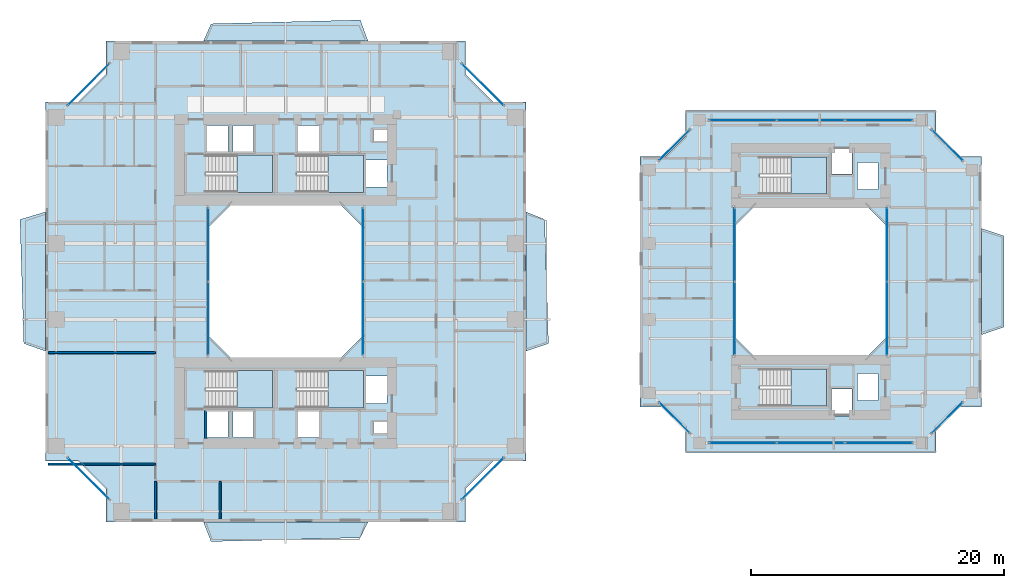
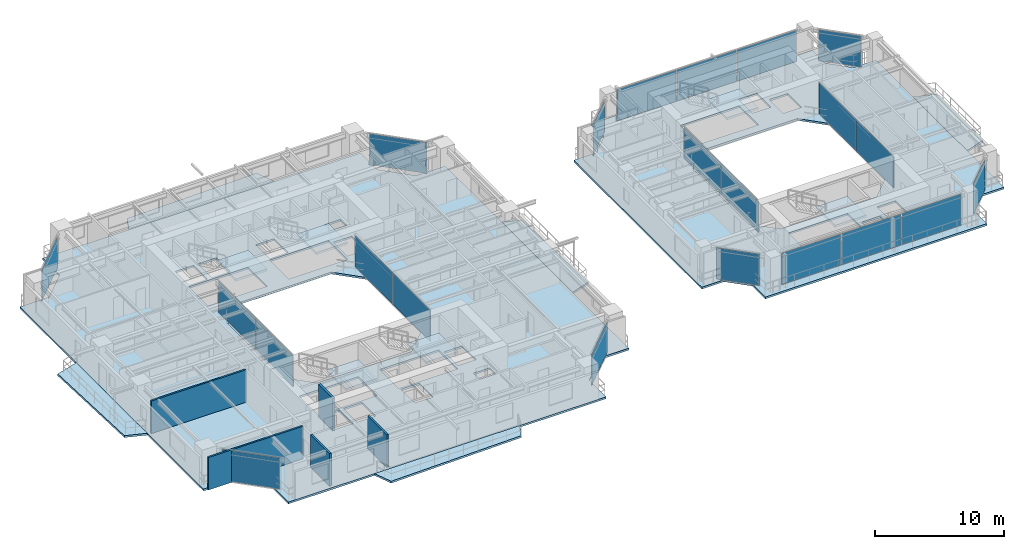
# One storey, part 11 of 23: 22 plates, 13 slabs, 5 walls, 20 elements without a shape of their own.
"""IFC4 building model written with IfcOpenShell, lengths in metres."""

from ifc_helpers import new_model, si_unit, direction, frame, frame_2d, origin, origin_2d, place, context, subcontext, project, spatial, polyline, rectangle, outline, extrude, source, transform, mapped, material, layer, layer_set, type_object, element, aggregate, save


model = new_model("IFC4")

# Units and contexts
model_context = context("Model", 3, precision=1e-05, world=origin(), true_north=direction((0.0, 1.0)))
body_context = subcontext(model_context, "Body", "Model", "MODEL_VIEW")
ifc_project = project(units=[si_unit("LENGTHUNIT", "METRE"), si_unit("AREAUNIT", "SQUARE_METRE"), si_unit("VOLUMEUNIT", "CUBIC_METRE"), si_unit("PLANEANGLEUNIT", "RADIAN"), si_unit("MASSUNIT", "GRAM", prefix="KILO"), si_unit("THERMODYNAMICTEMPERATUREUNIT", "KELVIN"), si_unit("POWERUNIT", "WATT")], contexts=[model_context])

# Site, building, storey
site_placement = place(None, origin())
site = spatial("IfcSite", under=ifc_project, at=site_placement, CompositionType="ELEMENT")
building_placement = place(site_placement, origin())
building = spatial("IfcBuilding", under=site, at=building_placement, Name="Qiaomeng Ring Towers", CompositionType="ELEMENT")
storey_placement = place(building_placement, frame((0.0, 0.0, 39.25)))
storey = spatial("IfcBuildingStorey", under=building, at=storey_placement, Name="L10", CompositionType="ELEMENT", Elevation=39.25)

# Slabs
ifc_material_1 = material(Name="Concrete C40", Category="concrete")
ifc_layer_1 = layer(ifc_material_1, 0.179931640625, Name="Concrete C40")
ifc_layer_set_1 = layer_set([ifc_layer_1], Name="Concrete C40")
slab_type_1 = type_object("IfcSlabType", Name="STR-SL-180", PredefinedType="FLOOR", material=ifc_layer_set_1)
slab_1_placement = place(storey_placement, frame((0.0, 0.0, -0.179931640625)))
element("IfcSlab", 1, at=slab_1_placement, inside=storey, type_object=slab_type_1, Name="L10 Tower 1 Annular Floor Slab", PredefinedType="FLOOR", context=body_context, shape_type="SweptSolid", body=[
    extrude(outline(polyline([(4.800048828125, 4.0), (33.199951171875, 4.0), (33.199951171875, 6.60009765625), (35.39990234375, 8.800048828125), (38.0, 8.800048828125), (38.0, 37.199951171875), (35.39990234375, 37.199951171875), (33.199951171875, 39.39990234375), (33.199951171875, 42.0), (4.800048828125, 42.0), (4.800048828125, 39.39990234375), (2.60009765625, 37.199951171875), (0.0, 37.199951171875), (0.0, 8.800048828125), (2.60009765625, 8.800048828125), (4.800048828125, 6.60009765625), (4.800048828125, 4.0)]), holes=[polyline([(12.780029296875, 10.679931640625), (12.780029296875, 12.820068359375), (14.419921875, 12.820068359375), (14.419921875, 10.679931640625), (12.780029296875, 10.679931640625)]), polyline([(14.830078125, 12.820068359375), (16.469970703125, 12.820068359375), (16.469970703125, 10.679931640625), (14.830078125, 10.679931640625), (14.830078125, 12.820068359375)]), polyline([(12.679931640625, 15.949951171875), (17.949951171875, 15.949951171875), (17.949951171875, 13.010009765625), (12.679931640625, 13.010009765625), (12.679931640625, 15.949951171875)]), polyline([(25.199951171875, 27.199951171875), (25.199951171875, 18.800048828125), (23.199951171875, 16.800048828125), (14.800048828125, 16.800048828125), (12.800048828125, 18.800048828125), (12.800048828125, 27.199951171875), (14.800048828125, 29.199951171875), (23.199951171875, 29.199951171875), (25.199951171875, 27.199951171875)]), polyline([(12.679931640625, 32.989990234375), (17.949951171875, 32.989990234375), (17.949951171875, 30.050048828125), (12.679931640625, 30.050048828125), (12.679931640625, 32.989990234375)]), polyline([(12.780029296875, 35.320068359375), (14.419921875, 35.320068359375), (14.419921875, 33.179931640625), (12.780029296875, 33.179931640625), (12.780029296875, 35.320068359375)]), polyline([(14.830078125, 35.320068359375), (16.469970703125, 35.320068359375), (16.469970703125, 33.179931640625), (14.830078125, 33.179931640625), (14.830078125, 35.320068359375)]), polyline([(19.97998046875, 35.320068359375), (21.6201171875, 35.320068359375), (21.6201171875, 33.179931640625), (19.97998046875, 33.179931640625), (19.97998046875, 35.320068359375)]), polyline([(25.919921875, 11.89990234375), (27.360107421875, 11.89990234375), (27.360107421875, 11.0), (25.919921875, 11.0), (25.919921875, 11.89990234375)]), polyline([(19.97998046875, 12.820068359375), (21.6201171875, 12.820068359375), (21.6201171875, 10.679931640625), (19.97998046875, 10.679931640625), (19.97998046875, 12.820068359375)]), polyline([(25.360107421875, 15.52001953125), (27.0, 15.52001953125), (27.0, 13.3798828125), (25.360107421875, 13.3798828125), (25.360107421875, 15.52001953125)]), polyline([(19.8798828125, 15.949951171875), (25.14990234375, 15.949951171875), (25.14990234375, 13.010009765625), (19.8798828125, 13.010009765625), (19.8798828125, 15.949951171875)]), polyline([(19.8798828125, 32.989990234375), (25.14990234375, 32.989990234375), (25.14990234375, 30.050048828125), (19.8798828125, 30.050048828125), (19.8798828125, 32.989990234375)]), polyline([(25.360107421875, 32.6201171875), (27.0, 32.6201171875), (27.0, 30.47998046875), (25.360107421875, 30.47998046875), (25.360107421875, 32.6201171875)]), polyline([(25.919921875, 35.0), (27.360107421875, 35.0), (27.360107421875, 34.10009765625), (25.919921875, 34.10009765625), (25.919921875, 35.0)])]), origin(), (0.0, 0.0, 1.0), 0.179931640625),
])
slab_2_placement = place(storey_placement, frame((0.0, 0.0, -0.179931640625)))
element("IfcSlab", 2, at=slab_2_placement, inside=storey, type_object=slab_type_1, Name="L10 Companion Tower 2 Annular Floor Slab", PredefinedType="FLOOR", context=body_context, shape_type="SweptSolid", body=[
    extrude(outline(polyline([(50.60009765625, 9.5), (70.39990234375, 9.5), (70.39990234375, 11.5), (72.0, 13.10009765625), (74.0, 13.10009765625), (74.0, 32.89990234375), (72.0, 32.89990234375), (70.39990234375, 34.5), (70.39990234375, 36.5), (50.60009765625, 36.5), (50.60009765625, 34.5), (49.0, 32.89990234375), (47.0, 32.89990234375), (47.0, 13.10009765625), (49.0, 13.10009765625), (50.60009765625, 11.5), (50.60009765625, 9.5)]), holes=[polyline([(62.1298828125, 12.3798828125), (62.1298828125, 14.52001953125), (63.77001953125, 14.52001953125), (63.77001953125, 12.3798828125), (62.1298828125, 12.3798828125)]), polyline([(56.47998046875, 13.159912109375), (56.47998046875, 16.10009765625), (61.75, 16.10009765625), (61.75, 13.159912109375), (56.47998046875, 13.159912109375)]), polyline([(64.179931640625, 13.580078125), (64.179931640625, 15.719970703125), (65.820068359375, 15.719970703125), (65.820068359375, 13.580078125), (64.179931640625, 13.580078125)]), polyline([(64.800048828125, 29.10009765625), (66.60009765625, 27.300048828125), (66.60009765625, 18.699951171875), (64.800048828125, 16.89990234375), (56.199951171875, 16.89990234375), (54.39990234375, 18.699951171875), (54.39990234375, 27.300048828125), (56.199951171875, 29.10009765625), (64.800048828125, 29.10009765625)]), polyline([(64.179931640625, 30.280029296875), (64.179931640625, 32.419921875), (65.820068359375, 32.419921875), (65.820068359375, 30.280029296875), (64.179931640625, 30.280029296875)]), polyline([(56.47998046875, 32.840087890625), (61.75, 32.840087890625), (61.75, 29.89990234375), (56.47998046875, 29.89990234375), (56.47998046875, 32.840087890625)]), polyline([(62.1298828125, 33.6201171875), (63.77001953125, 33.6201171875), (63.77001953125, 31.47998046875), (62.1298828125, 31.47998046875), (62.1298828125, 33.6201171875)])]), origin(), (0.0, 0.0, 1.0), 0.179931640625),
])
ifc_layer_2 = layer(ifc_material_1, 0.179931640625, Name="Concrete C40")
ifc_layer_set_2 = layer_set([ifc_layer_2], Name="Concrete C40")
slab_type_2 = type_object("IfcSlabType", Name="STR-SL-BAL", PredefinedType="FLOOR", material=ifc_layer_set_2)
slab_3_placement = place(storey_placement, frame((0.0, 0.0, -0.179931640625)))
element("IfcSlab", 3, at=slab_3_placement, inside=storey, type_object=slab_type_2, Name="L10 Tower 1 S Faceted Balcony Slab", PredefinedType="FLOOR", context=body_context, shape_type="SweptSolid", body=[
    extrude(outline(polyline([(24.89990234375, 2.75), (13.10009765625, 2.449951171875), (12.5, 4.0), (25.5, 4.0), (24.89990234375, 2.75)])), origin(), (0.0, 0.0, 1.0), 0.179931640625),
])
slab_4_placement = place(storey_placement, frame((0.0, 0.0, -0.179931640625)))
element("IfcSlab", 4, at=slab_4_placement, inside=storey, type_object=slab_type_2, Name="L10 Tower 1 E Faceted Balcony Slab", PredefinedType="FLOOR", context=body_context, shape_type="SweptSolid", body=[
    extrude(outline(polyline([(39.469970703125, 27.89990234375), (39.77001953125, 18.10009765625), (38.0, 17.5), (38.0, 28.5), (39.469970703125, 27.89990234375)])), origin(), (0.0, 0.0, 1.0), 0.179931640625),
])
slab_5_placement = place(storey_placement, frame((0.0, 0.0, -0.179931640625)))
element("IfcSlab", 5, at=slab_5_placement, inside=storey, type_object=slab_type_2, Name="L10 Tower 1 N Faceted Balcony Slab", PredefinedType="FLOOR", context=body_context, shape_type="SweptSolid", body=[
    extrude(outline(polyline([(12.5, 42.0), (13.10009765625, 43.3701171875), (24.89990234375, 43.669921875), (25.5, 42.0), (12.5, 42.0)])), origin(), (0.0, 0.0, 1.0), 0.179931640625),
])
slab_6_placement = place(storey_placement, frame((0.0, 0.0, -0.179931640625)))
element("IfcSlab", 6, at=slab_6_placement, inside=storey, type_object=slab_type_2, Name="L10 Tower 1 W Faceted Balcony Slab", PredefinedType="FLOOR", context=body_context, shape_type="SweptSolid", body=[
    extrude(outline(polyline([(0.0, 17.5), (-1.699951171875, 18.10009765625), (-2.0, 27.89990234375), (0.0, 28.5), (0.0, 17.5)])), origin(), (0.0, 0.0, 1.0), 0.179931640625),
])
slab_7_placement = place(storey_placement, frame((0.0, 0.0, -0.179931640625)))
element("IfcSlab", 7, at=slab_7_placement, inside=storey, type_object=slab_type_2, Name="L10 Companion East Faceted Balcony Slab", PredefinedType="FLOOR", context=body_context, shape_type="SweptSolid", body=[
    extrude(outline(polyline([(75.77001953125, 26.60009765625), (75.77001953125, 19.39990234375), (74.0, 18.800048828125), (74.0, 27.199951171875), (75.77001953125, 26.60009765625)])), origin(), (0.0, 0.0, 1.0), 0.179931640625),
])

# Stair, slab
ifc_material_2 = material(Name="Precast concrete C40", Category="concrete")
stair_type = type_object("IfcStairType", Name="ARC-ST-325", PredefinedType="HALF_TURN_STAIR", material=ifc_material_2)
stair_1_placement = place(storey_placement, origin())
stair_1 = element("IfcStair", 8, at=stair_1_placement, inside=storey, type_object=stair_type, Name="L10 Tower 1 North Stair 1", PredefinedType="HALF_TURN_STAIR")
ifc_layer_3 = layer(ifc_material_1, 0.199951171875, Name="Concrete C40")
ifc_layer_set_3 = layer_set([ifc_layer_3], Name="Concrete C40")
slab_type_3 = type_object("IfcSlabType", Name="STR-SL-LANDING", PredefinedType="LANDING", material=ifc_layer_set_3)
slab_8_placement = place(storey_placement, frame((0.0, 0.0, 1.425048828125)))
slab_8 = element("IfcSlab", 9, at=slab_8_placement, type_object=slab_type_3, Name="ST1 landing 1", PredefinedType="LANDING", context=body_context, shape_type="SweptSolid", body=[
    extrude(outline(polyline([(15.139892578125, 30.050048828125), (17.949951171875, 30.050048828125), (17.949951171875, 32.989990234375), (15.139892578125, 32.989990234375), (15.139892578125, 30.050048828125)])), origin(), (0.0, 0.0, 1.0), 0.199951171875),
])
aggregate(stair_1, [slab_8])

stair_2_placement = place(storey_placement, origin())
stair_2 = element("IfcStair", 10, at=stair_2_placement, inside=storey, type_object=stair_type, Name="L10 Tower 1 North Stair 2", PredefinedType="HALF_TURN_STAIR")
slab_9_placement = place(storey_placement, frame((0.0, 0.0, 1.425048828125)))
slab_9 = element("IfcSlab", 11, at=slab_9_placement, type_object=slab_type_3, Name="ST2 landing 1", PredefinedType="LANDING", context=body_context, shape_type="SweptSolid", body=[
    extrude(outline(polyline([(22.340087890625, 30.050048828125), (25.14990234375, 30.050048828125), (25.14990234375, 32.989990234375), (22.340087890625, 32.989990234375), (22.340087890625, 30.050048828125)])), origin(), (0.0, 0.0, 1.0), 0.199951171875),
])
aggregate(stair_2, [slab_9])

stair_3_placement = place(storey_placement, origin())
stair_3 = element("IfcStair", 12, at=stair_3_placement, inside=storey, type_object=stair_type, Name="L10 Tower 1 South Stair 3", PredefinedType="HALF_TURN_STAIR")
slab_10_placement = place(storey_placement, frame((0.0, 0.0, 1.425048828125)))
slab_10 = element("IfcSlab", 13, at=slab_10_placement, type_object=slab_type_3, Name="ST3 landing 1", PredefinedType="LANDING", context=body_context, shape_type="SweptSolid", body=[
    extrude(outline(polyline([(15.139892578125, 13.010009765625), (17.949951171875, 13.010009765625), (17.949951171875, 15.949951171875), (15.139892578125, 15.949951171875), (15.139892578125, 13.010009765625)])), origin(), (0.0, 0.0, 1.0), 0.199951171875),
])
aggregate(stair_3, [slab_10])

stair_4_placement = place(storey_placement, origin())
stair_4 = element("IfcStair", 14, at=stair_4_placement, inside=storey, type_object=stair_type, Name="L10 Tower 1 South Stair 4", PredefinedType="HALF_TURN_STAIR")
slab_11_placement = place(storey_placement, frame((0.0, 0.0, 1.425048828125)))
slab_11 = element("IfcSlab", 15, at=slab_11_placement, type_object=slab_type_3, Name="ST4 landing 1", PredefinedType="LANDING", context=body_context, shape_type="SweptSolid", body=[
    extrude(outline(polyline([(22.340087890625, 13.010009765625), (25.14990234375, 13.010009765625), (25.14990234375, 15.949951171875), (22.340087890625, 15.949951171875), (22.340087890625, 13.010009765625)])), origin(), (0.0, 0.0, 1.0), 0.199951171875),
])
aggregate(stair_4, [slab_11])

stair_5_placement = place(storey_placement, origin())
stair_5 = element("IfcStair", 16, at=stair_5_placement, inside=storey, type_object=stair_type, Name="L10 Companion North Stair 5", PredefinedType="HALF_TURN_STAIR")
slab_12_placement = place(storey_placement, frame((0.0, 0.0, 1.425048828125)))
slab_12 = element("IfcSlab", 17, at=slab_12_placement, type_object=slab_type_3, Name="ST5 landing 1", PredefinedType="LANDING", context=body_context, shape_type="SweptSolid", body=[
    extrude(outline(polyline([(58.93994140625, 29.89990234375), (61.75, 29.89990234375), (61.75, 32.840087890625), (58.93994140625, 32.840087890625), (58.93994140625, 29.89990234375)])), origin(), (0.0, 0.0, 1.0), 0.199951171875),
])
aggregate(stair_5, [slab_12])

stair_6_placement = place(storey_placement, origin())
stair_6 = element("IfcStair", 18, at=stair_6_placement, inside=storey, type_object=stair_type, Name="L10 Companion South Stair 6", PredefinedType="HALF_TURN_STAIR")
slab_13_placement = place(storey_placement, frame((0.0, 0.0, 1.425048828125)))
slab_13 = element("IfcSlab", 19, at=slab_13_placement, type_object=slab_type_3, Name="ST6 landing 1", PredefinedType="LANDING", context=body_context, shape_type="SweptSolid", body=[
    extrude(outline(polyline([(58.93994140625, 13.159912109375), (61.75, 13.159912109375), (61.75, 16.10009765625), (58.93994140625, 16.10009765625), (58.93994140625, 13.159912109375)])), origin(), (0.0, 0.0, 1.0), 0.199951171875),
])
aggregate(stair_6, [slab_13])

# Curtain wall, plates
ifc_material_3 = material(Name="Fluorocarbon dark-grey aluminium", Category="aluminium")
ifc_layer_4 = layer(ifc_material_3, 0.139892578125, Name="Fluorocarbon dark-grey aluminium")
ifc_layer_set_4 = layer_set([ifc_layer_4], Name="Fluorocarbon dark-grey aluminium")
curtain_wall_type_1 = type_object("IfcCurtainWallType", Name="ARC-CW-4", PredefinedType="NOTDEFINED", material=ifc_layer_set_4)
curtain_wall_1_placement = place(storey_placement, origin())
curtain_wall_1 = element("IfcCurtainWall", 20, at=curtain_wall_1_placement, inside=storey, type_object=curtain_wall_type_1, Name="L10 Curtain Wall CW4", PredefinedType="NOTDEFINED")
ifc_material_4 = material(Name="Low-E dark-grey laminated double glazing", Category="glass")
ifc_layer_5 = layer(ifc_material_4, 0.028076171875, Name="Low-E dark-grey laminated double glazing")
ifc_layer_set_5 = layer_set([ifc_layer_5], Name="Low-E dark-grey laminated double glazing")
plate_type = type_object("IfcPlateType", Name="ARC-CWP-DARK", PredefinedType="CURTAIN_PANEL", material=ifc_layer_set_5)
shared_shape_1 = source(origin(), body_context, "Body", "SweptSolid", [
    extrude(rectangle(XDim=5.75244140625, YDim=0.028076171875, at=origin_2d()), origin(), (0.0, 0.0, 1.0), 2.93994140625),
])
plate_1_placement = place(storey_placement, frame((12.8798828125, 20.09130859375, 0.06494140625), z_axis=(0.0, 0.0, 1.0), x_axis=(0.0, 1.0, 0.0)))
plate_1 = element("IfcPlate", 21, at=plate_1_placement, type_object=plate_type, Name="CW4 panel 1.1", PredefinedType="CURTAIN_PANEL", context=body_context, shape_type="MappedRepresentation", body=[
    mapped(shared_shape_1, transform((0.0, 0.0, 0.0), x_axis=(1.0, 0.0, 0.0), y_axis=(0.0, 1.0, 0.0), z_axis=(0.0, 0.0, 1.0), scale=1.0)),
])
plate_2_placement = place(storey_placement, frame((12.8798828125, 25.90869140625, 0.06494140625), z_axis=(0.0, 0.0, 1.0), x_axis=(0.0, 1.0, 0.0)))
plate_2 = element("IfcPlate", 22, at=plate_2_placement, type_object=plate_type, Name="CW4 panel 2.1", PredefinedType="CURTAIN_PANEL", context=body_context, shape_type="MappedRepresentation", body=[
    mapped(shared_shape_1, transform((0.0, 0.0, 0.0), x_axis=(1.0, 0.0, 0.0), y_axis=(0.0, 1.0, 0.0), z_axis=(0.0, 0.0, 1.0), scale=1.0)),
])
aggregate(curtain_wall_1, [plate_1, plate_2])

curtain_wall_2_placement = place(storey_placement, origin())
curtain_wall_2 = element("IfcCurtainWall", 23, at=curtain_wall_2_placement, inside=storey, type_object=curtain_wall_type_1, Name="L10 Curtain Wall CW4", PredefinedType="NOTDEFINED")
plate_3_placement = place(storey_placement, frame((25.1201171875, 20.09130859375, 0.06494140625), z_axis=(0.0, 0.0, 1.0), x_axis=(0.0, 1.0, 0.0)))
plate_3 = element("IfcPlate", 24, at=plate_3_placement, type_object=plate_type, Name="CW4 panel 1.1", PredefinedType="CURTAIN_PANEL", context=body_context, shape_type="MappedRepresentation", body=[
    mapped(shared_shape_1, transform((0.0, 0.0, 0.0), x_axis=(1.0, 0.0, 0.0), y_axis=(0.0, 1.0, 0.0), z_axis=(0.0, 0.0, 1.0), scale=1.0)),
])
plate_4_placement = place(storey_placement, frame((25.1201171875, 25.90869140625, 0.06494140625), z_axis=(0.0, 0.0, 1.0), x_axis=(0.0, 1.0, 0.0)))
plate_4 = element("IfcPlate", 25, at=plate_4_placement, type_object=plate_type, Name="CW4 panel 2.1", PredefinedType="CURTAIN_PANEL", context=body_context, shape_type="MappedRepresentation", body=[
    mapped(shared_shape_1, transform((0.0, 0.0, 0.0), x_axis=(1.0, 0.0, 0.0), y_axis=(0.0, 1.0, 0.0), z_axis=(0.0, 0.0, 1.0), scale=1.0)),
])
aggregate(curtain_wall_2, [plate_3, plate_4])

curtain_wall_3_placement = place(storey_placement, origin())
curtain_wall_3 = element("IfcCurtainWall", 26, at=curtain_wall_3_placement, inside=storey, type_object=curtain_wall_type_1, Name="L10 Curtain Wall CW4", PredefinedType="NOTDEFINED")
plate_5_placement = place(storey_placement, frame((54.47998046875, 20.09130859375, 0.06494140625), z_axis=(0.0, 0.0, 1.0), x_axis=(0.0, 1.0, 0.0)))
plate_5 = element("IfcPlate", 27, at=plate_5_placement, type_object=plate_type, Name="CW4 panel 1.1", PredefinedType="CURTAIN_PANEL", context=body_context, shape_type="MappedRepresentation", body=[
    mapped(shared_shape_1, transform((0.0, 0.0, 0.0), x_axis=(1.0, 0.0, 0.0), y_axis=(0.0, 1.0, 0.0), z_axis=(0.0, 0.0, 1.0), scale=1.0)),
])
plate_6_placement = place(storey_placement, frame((54.47998046875, 25.90869140625, 0.06494140625), z_axis=(0.0, 0.0, 1.0), x_axis=(0.0, 1.0, 0.0)))
plate_6 = element("IfcPlate", 28, at=plate_6_placement, type_object=plate_type, Name="CW4 panel 2.1", PredefinedType="CURTAIN_PANEL", context=body_context, shape_type="MappedRepresentation", body=[
    mapped(shared_shape_1, transform((0.0, 0.0, 0.0), x_axis=(1.0, 0.0, 0.0), y_axis=(0.0, 1.0, 0.0), z_axis=(0.0, 0.0, 1.0), scale=1.0)),
])
aggregate(curtain_wall_3, [plate_5, plate_6])

curtain_wall_4_placement = place(storey_placement, origin())
curtain_wall_4 = element("IfcCurtainWall", 29, at=curtain_wall_4_placement, inside=storey, type_object=curtain_wall_type_1, Name="L10 Curtain Wall CW4", PredefinedType="NOTDEFINED")
plate_7_placement = place(storey_placement, frame((66.52001953125, 20.09130859375, 0.06494140625), z_axis=(0.0, 0.0, 1.0), x_axis=(0.0, 1.0, 0.0)))
plate_7 = element("IfcPlate", 30, at=plate_7_placement, type_object=plate_type, Name="CW4 panel 1.1", PredefinedType="CURTAIN_PANEL", context=body_context, shape_type="MappedRepresentation", body=[
    mapped(shared_shape_1, transform((0.0, 0.0, 0.0), x_axis=(1.0, 0.0, 0.0), y_axis=(0.0, 1.0, 0.0), z_axis=(0.0, 0.0, 1.0), scale=1.0)),
])
plate_8_placement = place(storey_placement, frame((66.52001953125, 25.90869140625, 0.06494140625), z_axis=(0.0, 0.0, 1.0), x_axis=(0.0, 1.0, 0.0)))
plate_8 = element("IfcPlate", 31, at=plate_8_placement, type_object=plate_type, Name="CW4 panel 2.1", PredefinedType="CURTAIN_PANEL", context=body_context, shape_type="MappedRepresentation", body=[
    mapped(shared_shape_1, transform((0.0, 0.0, 0.0), x_axis=(1.0, 0.0, 0.0), y_axis=(0.0, 1.0, 0.0), z_axis=(0.0, 0.0, 1.0), scale=1.0)),
])
aggregate(curtain_wall_4, [plate_7, plate_8])

# Curtain wall, plate
ifc_layer_6 = layer(ifc_material_3, 0.159912109375, Name="Fluorocarbon dark-grey aluminium")
ifc_layer_set_6 = layer_set([ifc_layer_6], Name="Fluorocarbon dark-grey aluminium")
curtain_wall_type_2 = type_object("IfcCurtainWallType", Name="ARC-CW-2", PredefinedType="NOTDEFINED", material=ifc_layer_set_6)
curtain_wall_5_placement = place(storey_placement, origin())
curtain_wall_5 = element("IfcCurtainWall", 32, at=curtain_wall_5_placement, inside=storey, type_object=curtain_wall_type_2, Name="L10 Curtain Wall CW2", PredefinedType="NOTDEFINED")
shared_shape_2 = source(origin(), body_context, "Body", "SweptSolid", [
    extrude(rectangle(XDim=4.6259765625, YDim=0.028076171875, at=origin_2d()), origin(), (0.0, 0.0, 1.0), 2.93994140625),
])
plate_9_placement = place(storey_placement, frame((34.574951171875, 7.425048828125, 0.06494140625), z_axis=(0.0, 0.0, 1.0), x_axis=(0.707106781187, 0.707106781187, 0.0)))
plate_9 = element("IfcPlate", 33, at=plate_9_placement, type_object=plate_type, Name="CW2 panel 1.1", PredefinedType="CURTAIN_PANEL", context=body_context, shape_type="MappedRepresentation", body=[
    mapped(shared_shape_2, transform((0.0, 0.0, 0.0), x_axis=(1.0, 0.0, 0.0), y_axis=(0.0, 1.0, 0.0), z_axis=(0.0, 0.0, 1.0), scale=1.0)),
])
aggregate(curtain_wall_5, [plate_9])

curtain_wall_6_placement = place(storey_placement, origin())
curtain_wall_6 = element("IfcCurtainWall", 34, at=curtain_wall_6_placement, inside=storey, type_object=curtain_wall_type_2, Name="L10 Curtain Wall CW2", PredefinedType="NOTDEFINED")
plate_10_placement = place(storey_placement, frame((34.574951171875, 38.574951171875, 0.06494140625), z_axis=(0.0, 0.0, 1.0), x_axis=(-0.707106781187, 0.707106781187, 0.0)))
plate_10 = element("IfcPlate", 35, at=plate_10_placement, type_object=plate_type, Name="CW2 panel 1.1", PredefinedType="CURTAIN_PANEL", context=body_context, shape_type="MappedRepresentation", body=[
    mapped(shared_shape_2, transform((0.0, 0.0, 0.0), x_axis=(1.0, 0.0, 0.0), y_axis=(0.0, 1.0, 0.0), z_axis=(0.0, 0.0, 1.0), scale=1.0)),
])
aggregate(curtain_wall_6, [plate_10])

curtain_wall_7_placement = place(storey_placement, origin())
curtain_wall_7 = element("IfcCurtainWall", 36, at=curtain_wall_7_placement, inside=storey, type_object=curtain_wall_type_2, Name="L10 Curtain Wall CW2", PredefinedType="NOTDEFINED")
plate_11_placement = place(storey_placement, frame((3.425048828125, 38.574951171875, 0.06494140625), z_axis=(0.0, 0.0, 1.0), x_axis=(-0.707106781187, -0.707106781187, 0.0)))
plate_11 = element("IfcPlate", 37, at=plate_11_placement, type_object=plate_type, Name="CW2 panel 1.1", PredefinedType="CURTAIN_PANEL", context=body_context, shape_type="MappedRepresentation", body=[
    mapped(shared_shape_2, transform((0.0, 0.0, 0.0), x_axis=(1.0, 0.0, 0.0), y_axis=(0.0, 1.0, 0.0), z_axis=(0.0, 0.0, 1.0), scale=1.0)),
])
aggregate(curtain_wall_7, [plate_11])

curtain_wall_8_placement = place(storey_placement, origin())
curtain_wall_8 = element("IfcCurtainWall", 38, at=curtain_wall_8_placement, inside=storey, type_object=curtain_wall_type_2, Name="L10 Curtain Wall CW2", PredefinedType="NOTDEFINED")
plate_12_placement = place(storey_placement, frame((3.425048828125, 7.425048828125, 0.06494140625), z_axis=(0.0, 0.0, 1.0), x_axis=(0.707106781187, -0.707106781187, 0.0)))
plate_12 = element("IfcPlate", 39, at=plate_12_placement, type_object=plate_type, Name="CW2 panel 1.1", PredefinedType="CURTAIN_PANEL", context=body_context, shape_type="MappedRepresentation", body=[
    mapped(shared_shape_2, transform((0.0, 0.0, 0.0), x_axis=(1.0, 0.0, 0.0), y_axis=(0.0, 1.0, 0.0), z_axis=(0.0, 0.0, 1.0), scale=1.0)),
])
aggregate(curtain_wall_8, [plate_12])

# Curtain wall, plates
ifc_layer_7 = layer(ifc_material_3, 0.14990234375, Name="Fluorocarbon dark-grey aluminium")
ifc_layer_set_7 = layer_set([ifc_layer_7], Name="Fluorocarbon dark-grey aluminium")
curtain_wall_type_3 = type_object("IfcCurtainWallType", Name="ARC-CW-5", PredefinedType="NOTDEFINED", material=ifc_layer_set_7)
curtain_wall_9_placement = place(storey_placement, origin())
curtain_wall_9 = element("IfcCurtainWall", 40, at=curtain_wall_9_placement, inside=storey, type_object=curtain_wall_type_3, Name="L10 Curtain Wall CW5", PredefinedType="NOTDEFINED")
shared_shape_3 = source(origin(), body_context, "Body", "SweptSolid", [
    extrude(rectangle(XDim=5.284912109375, YDim=0.028076171875, at=origin_2d()), origin(), (0.0, 0.0, 1.0), 2.93994140625),
])
plate_13_placement = place(storey_placement, frame((55.12744140625, 35.75, 0.06494140625), z_axis=(0.0, 0.0, 1.0), x_axis=(1.0, 0.0, 0.0)))
plate_13 = element("IfcPlate", 41, at=plate_13_placement, type_object=plate_type, Name="CW5 panel 1.1", PredefinedType="CURTAIN_PANEL", context=body_context, shape_type="MappedRepresentation", body=[
    mapped(shared_shape_3, transform((0.0, 0.0, 0.0), x_axis=(1.0, 0.0, 0.0), y_axis=(0.0, 1.0, 0.0), z_axis=(0.0, 0.0, 1.0), scale=1.0)),
])
plate_14_placement = place(storey_placement, frame((65.87255859375, 35.75, 0.06494140625), z_axis=(0.0, 0.0, 1.0), x_axis=(1.0, 0.0, 0.0)))
plate_14 = element("IfcPlate", 42, at=plate_14_placement, type_object=plate_type, Name="CW5 panel 3.1", PredefinedType="CURTAIN_PANEL", context=body_context, shape_type="MappedRepresentation", body=[
    mapped(shared_shape_3, transform((0.0, 0.0, 0.0), x_axis=(1.0, 0.0, 0.0), y_axis=(0.0, 1.0, 0.0), z_axis=(0.0, 0.0, 1.0), scale=1.0)),
])

curtain_wall_10_placement = place(storey_placement, origin())
curtain_wall_10 = element("IfcCurtainWall", 43, at=curtain_wall_10_placement, inside=storey, type_object=curtain_wall_type_3, Name="L10 Curtain Wall CW5", PredefinedType="NOTDEFINED")
plate_15_placement = place(storey_placement, frame((55.12744140625, 10.25, 0.06494140625), z_axis=(0.0, 0.0, 1.0), x_axis=(1.0, 0.0, 0.0)))
plate_15 = element("IfcPlate", 44, at=plate_15_placement, type_object=plate_type, Name="CW5 panel 1.1", PredefinedType="CURTAIN_PANEL", context=body_context, shape_type="MappedRepresentation", body=[
    mapped(shared_shape_3, transform((0.0, 0.0, 0.0), x_axis=(1.0, 0.0, 0.0), y_axis=(0.0, 1.0, 0.0), z_axis=(0.0, 0.0, 1.0), scale=1.0)),
])
plate_16_placement = place(storey_placement, frame((65.87255859375, 10.25, 0.06494140625), z_axis=(0.0, 0.0, 1.0), x_axis=(1.0, 0.0, 0.0)))
plate_16 = element("IfcPlate", 45, at=plate_16_placement, type_object=plate_type, Name="CW5 panel 3.1", PredefinedType="CURTAIN_PANEL", context=body_context, shape_type="MappedRepresentation", body=[
    mapped(shared_shape_3, transform((0.0, 0.0, 0.0), x_axis=(1.0, 0.0, 0.0), y_axis=(0.0, 1.0, 0.0), z_axis=(0.0, 0.0, 1.0), scale=1.0)),
])

# Plate
shared_shape_4 = source(origin(), body_context, "Body", "SweptSolid", [
    extrude(rectangle(XDim=5.320068359375, YDim=0.028076171875, at=origin_2d()), origin(), (0.0, 0.0, 1.0), 2.93994140625),
])
plate_17_placement = place(storey_placement, frame((60.5, 35.75, 0.06494140625), z_axis=(0.0, 0.0, 1.0), x_axis=(1.0, 0.0, 0.0)))
plate_17 = element("IfcPlate", 46, at=plate_17_placement, type_object=plate_type, Name="CW5 panel 2.1", PredefinedType="CURTAIN_PANEL", context=body_context, shape_type="MappedRepresentation", body=[
    mapped(shared_shape_4, transform((0.0, 0.0, 0.0), x_axis=(1.0, 0.0, 0.0), y_axis=(0.0, 1.0, 0.0), z_axis=(0.0, 0.0, 1.0), scale=1.0)),
])

aggregate(curtain_wall_9, [plate_13, plate_17, plate_14])

plate_18_placement = place(storey_placement, frame((60.5, 10.25, 0.06494140625), z_axis=(0.0, 0.0, 1.0), x_axis=(1.0, 0.0, 0.0)))
plate_18 = element("IfcPlate", 47, at=plate_18_placement, type_object=plate_type, Name="CW5 panel 2.1", PredefinedType="CURTAIN_PANEL", context=body_context, shape_type="MappedRepresentation", body=[
    mapped(shared_shape_4, transform((0.0, 0.0, 0.0), x_axis=(1.0, 0.0, 0.0), y_axis=(0.0, 1.0, 0.0), z_axis=(0.0, 0.0, 1.0), scale=1.0)),
])

aggregate(curtain_wall_10, [plate_15, plate_18, plate_16])

# Curtain wall, plate
curtain_wall_11_placement = place(storey_placement, origin())
curtain_wall_11 = element("IfcCurtainWall", 48, at=curtain_wall_11_placement, inside=storey, type_object=curtain_wall_type_3, Name="L10 Curtain Wall CW5", PredefinedType="NOTDEFINED")
shared_shape_5 = source(origin(), body_context, "Body", "SweptSolid", [
    extrude(rectangle(XDim=3.423828125, YDim=0.028076171875, at=origin_2d()), origin(), (0.0, 0.0, 1.0), 2.93994140625),
])
plate_19_placement = place(storey_placement, frame((71.27490234375, 12.22509765625, 0.06494140625), z_axis=(0.0, 0.0, 1.0), x_axis=(0.707106781187, 0.707106781187, 0.0)))
plate_19 = element("IfcPlate", 49, at=plate_19_placement, type_object=plate_type, Name="CW5 panel 1.1", PredefinedType="CURTAIN_PANEL", context=body_context, shape_type="MappedRepresentation", body=[
    mapped(shared_shape_5, transform((0.0, 0.0, 0.0), x_axis=(1.0, 0.0, 0.0), y_axis=(0.0, 1.0, 0.0), z_axis=(0.0, 0.0, 1.0), scale=1.0)),
])
aggregate(curtain_wall_11, [plate_19])

curtain_wall_12_placement = place(storey_placement, origin())
curtain_wall_12 = element("IfcCurtainWall", 50, at=curtain_wall_12_placement, inside=storey, type_object=curtain_wall_type_3, Name="L10 Curtain Wall CW5", PredefinedType="NOTDEFINED")
plate_20_placement = place(storey_placement, frame((71.27490234375, 33.77490234375, 0.06494140625), z_axis=(0.0, 0.0, 1.0), x_axis=(-0.707106781187, 0.707106781187, 0.0)))
plate_20 = element("IfcPlate", 51, at=plate_20_placement, type_object=plate_type, Name="CW5 panel 1.1", PredefinedType="CURTAIN_PANEL", context=body_context, shape_type="MappedRepresentation", body=[
    mapped(shared_shape_5, transform((0.0, 0.0, 0.0), x_axis=(1.0, 0.0, 0.0), y_axis=(0.0, 1.0, 0.0), z_axis=(0.0, 0.0, 1.0), scale=1.0)),
])
aggregate(curtain_wall_12, [plate_20])

curtain_wall_13_placement = place(storey_placement, origin())
curtain_wall_13 = element("IfcCurtainWall", 52, at=curtain_wall_13_placement, inside=storey, type_object=curtain_wall_type_3, Name="L10 Curtain Wall CW5", PredefinedType="NOTDEFINED")
plate_21_placement = place(storey_placement, frame((49.72509765625, 33.77490234375, 0.06494140625), z_axis=(0.0, 0.0, 1.0), x_axis=(-0.707106781187, -0.707106781187, 0.0)))
plate_21 = element("IfcPlate", 53, at=plate_21_placement, type_object=plate_type, Name="CW5 panel 1.1", PredefinedType="CURTAIN_PANEL", context=body_context, shape_type="MappedRepresentation", body=[
    mapped(shared_shape_5, transform((0.0, 0.0, 0.0), x_axis=(1.0, 0.0, 0.0), y_axis=(0.0, 1.0, 0.0), z_axis=(0.0, 0.0, 1.0), scale=1.0)),
])
aggregate(curtain_wall_13, [plate_21])

curtain_wall_14_placement = place(storey_placement, origin())
curtain_wall_14 = element("IfcCurtainWall", 54, at=curtain_wall_14_placement, inside=storey, type_object=curtain_wall_type_3, Name="L10 Curtain Wall CW5", PredefinedType="NOTDEFINED")
plate_22_placement = place(storey_placement, frame((49.72509765625, 12.22509765625, 0.06494140625), z_axis=(0.0, 0.0, 1.0), x_axis=(0.707106781187, -0.707106781187, 0.0)))
plate_22 = element("IfcPlate", 55, at=plate_22_placement, type_object=plate_type, Name="CW5 panel 1.1", PredefinedType="CURTAIN_PANEL", context=body_context, shape_type="MappedRepresentation", body=[
    mapped(shared_shape_5, transform((0.0, 0.0, 0.0), x_axis=(1.0, 0.0, 0.0), y_axis=(0.0, 1.0, 0.0), z_axis=(0.0, 0.0, 1.0), scale=1.0)),
])
aggregate(curtain_wall_14, [plate_22])

# Walls
ifc_material_5 = material(Name="Autoclaved aerated concrete block", Category="concrete")
ifc_layer_8 = layer(ifc_material_5, 0.199951171875, Name="Autoclaved aerated concrete block")
ifc_layer_set_8 = layer_set([ifc_layer_8], Name="Autoclaved aerated concrete block")
wall_type_1 = type_object("IfcWallType", Name="ARC-WL-PW1", PredefinedType="PARTITIONING", material=ifc_layer_set_8)
wall_placement = place(storey_placement, frame((12.679931640625, 10.60009765625, 0.0), z_axis=(0.0, 0.0, 1.0), x_axis=(0.0, 1.0, 0.0)))
element("IfcWall", 56, at=wall_placement, inside=storey, type_object=wall_type_1, Name="L10 Interior Wall PW1", PredefinedType="PARTITIONING", context=body_context, shape_type="SweptSolid", body=[
    extrude(rectangle(XDim=2.2099609375, YDim=0.199951171875, at=frame_2d((1.10498046875, 0.0))), origin(), (0.0, 0.0, 1.0), 3.070068359375),
])
ifc_material_6 = material(Name="Gypsum fireboard steel-stud partition", Category="steel")
ifc_layer_9 = layer(ifc_material_6, 0.14990234375, Name="Gypsum fireboard steel-stud partition")
ifc_layer_set_9 = layer_set([ifc_layer_9], Name="Gypsum fireboard steel-stud partition")
wall_type_2 = type_object("IfcWallType", Name="ARC-WL-PW3", PredefinedType="PARTITIONING", material=ifc_layer_set_9)
for number, where, z_axis, x_axis, name in (
    (57, (13.820068359375, 4.25, 0.0), (0.0, 0.0, 1.0), (0.0, 1.0, 0.0), "L10 Interior Wall PW3"),
    (58, (8.719970703125, 4.25, 0.0), (0.0, 0.0, 1.0), (0.0, 1.0, 0.0), "L10 Interior Wall PW3"),
):
    element("IfcWall", number, at=place(storey_placement, frame(where, z_axis=z_axis, x_axis=x_axis)), inside=storey, type_object=wall_type_2, Name=name, PredefinedType="PARTITIONING", context=body_context, shape_type="SweptSolid", body=[
        extrude(rectangle(XDim=2.9599609375, YDim=0.14990234375, at=frame_2d((1.47998046875, 0.0))), origin(), (0.0, 0.0, 1.0), 3.070068359375),
    ])
for number, where, z_axis, x_axis, name in (
    (59, (0.25, 8.570068359375, 0.0), (0.0, 0.0, 1.0), (1.0, 0.0, 0.0), "L10 Interior Wall PW3"),
    (60, (0.25, 17.3798828125, 0.0), (0.0, 0.0, 1.0), (1.0, 0.0, 0.0), "L10 Interior Wall PW3"),
):
    element("IfcWall", number, at=place(storey_placement, frame(where, z_axis=z_axis, x_axis=x_axis)), inside=storey, type_object=wall_type_2, Name=name, PredefinedType="PARTITIONING", context=body_context, shape_type="SweptSolid", body=[
        extrude(rectangle(XDim=8.469970703125, YDim=0.14990234375, at=frame_2d((4.23486328125, 0.0))), origin(), (0.0, 0.0, 1.0), 3.070068359375),
    ])

save(model, "model.ifc")
